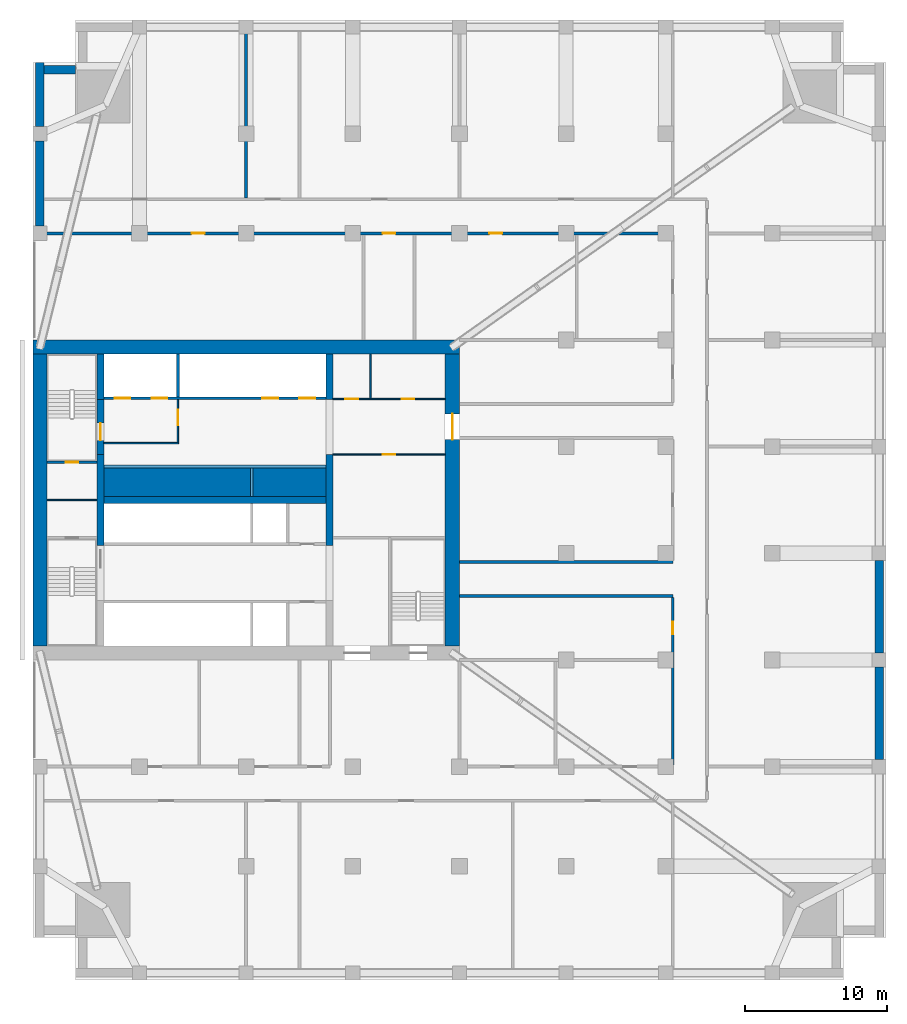
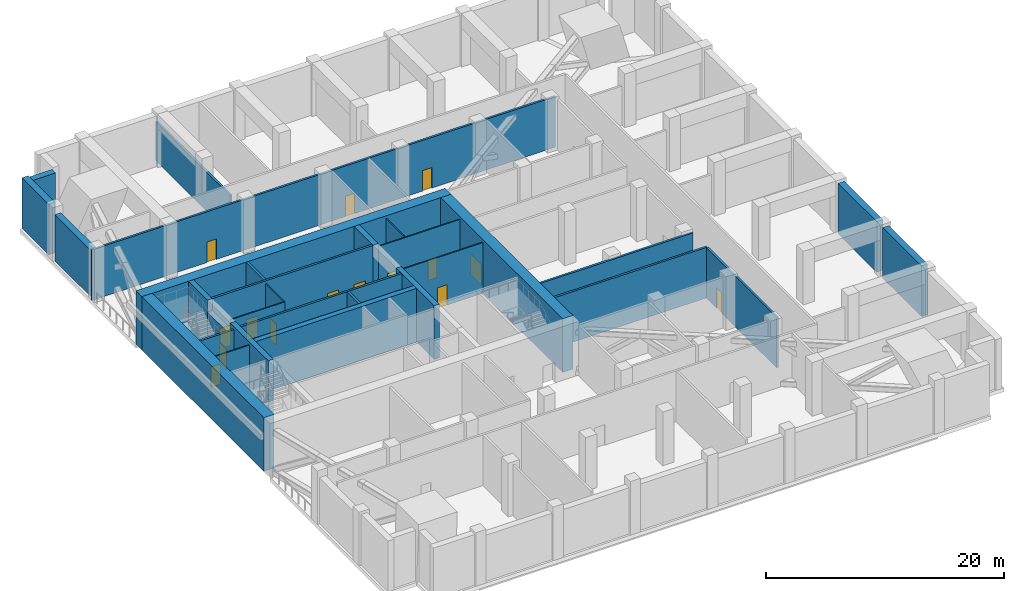
# One storey, part 4 of 10: 31 walls, 15 doors, 15 openings.
"""IFC4 building model written with IfcOpenShell, lengths in metres."""

from ifc_helpers import new_model, si_unit, direction, frame, frame_2d, origin, place, context, subcontext, project, spatial, rectangle, extrude, material, layer, layer_set, type_object, element, fill, save


model = new_model("IFC4")

# Units and contexts
model_context = context("Model", 3, precision=1e-05, world=origin(), true_north=direction((0.0, 1.0)))
body_context = subcontext(model_context, "Body", "Model", "MODEL_VIEW")
ifc_project = project(units=[si_unit("LENGTHUNIT", "METRE"), si_unit("AREAUNIT", "SQUARE_METRE"), si_unit("VOLUMEUNIT", "CUBIC_METRE"), si_unit("PLANEANGLEUNIT", "RADIAN"), si_unit("MASSUNIT", "GRAM", prefix="KILO")], contexts=[model_context])

# Site, building, storey
site_placement = place(None, origin())
site = spatial("IfcSite", under=ifc_project, at=site_placement, CompositionType="ELEMENT")
building_placement = place(site_placement, origin())
building = spatial("IfcBuilding", under=site, at=building_placement, Name="Tamorin Gate", CompositionType="ELEMENT")
storey_placement = place(building_placement, frame((0.0, 0.0, 118.699951171875)))
storey = spatial("IfcBuildingStorey", under=building, at=storey_placement, Name="L29", CompositionType="ELEMENT", Elevation=118.699951171875)

# Wall
ifc_material_1 = material(Name="Concrete C32/40", Category="concrete")
ifc_layer_1 = layer(ifc_material_1, 0.199951171875)
ifc_layer_set_1 = layer_set([ifc_layer_1], Name="Lift lobby face wall 200 EI 120")
wall_type_1 = type_object("IfcWallType", Name="Lift lobby face wall 200 EI 120", PredefinedType="SOLIDWALL", material=ifc_layer_set_1)
wall_1_placement = place(storey_placement, frame((35.0, 73.60009765625, 3.900146484375), z_axis=(0.0, 0.0, 1.0), x_axis=(1.0, 0.0, 0.0)))
element("IfcWall", 1, at=wall_1_placement, inside=storey, type_object=wall_type_1, Name="Lift lobby face wall", PredefinedType="SOLIDWALL", context=body_context, shape_type="SweptSolid", body=[
    extrude(rectangle(XDim=15.60009765625, YDim=0.199951171875, at=frame_2d((7.800048828125, 0.0))), origin(), (0.0, 0.0, 1.0), 1.599853515625),
])

# Wall, openings, doors
wall_2_placement = place(storey_placement, frame((35.0, 78.39990234375, 0.0), z_axis=(0.0, 0.0, 1.0), x_axis=(1.0, 0.0, 0.0)))
wall_2 = element("IfcWall", 2, at=wall_2_placement, inside=storey, type_object=wall_type_1, Name="Lift lobby face wall", PredefinedType="SOLIDWALL", context=body_context, shape_type="SweptSolid", body=[
    extrude(rectangle(XDim=15.60009765625, YDim=0.199951171875, at=frame_2d((7.800048828125, 0.0))), origin(), (0.0, 0.0, 1.0), 5.5),
])
opening_1_placement = place(wall_2_placement, frame((0.75, 0.0, 0.0)))
opening_1 = element("IfcOpeningElement", 3, at=opening_1_placement, cuts=wall_2, Name="Opening LD17", PredefinedType="OPENING", context=body_context, shape_type="SweptSolid", body=[
    extrude(rectangle(XDim=1.10009765625, YDim=2.10009765625, at=frame_2d((0.550048828125, 1.050048828125))), frame((0.0, 0.10986328125, 0.0), z_axis=(0.0, -1.0, 0.0), x_axis=(1.0, 0.0, 0.0)), (0.0, 0.0, 1.0), 0.219970703125),
])
opening_2_placement = place(wall_2_placement, frame((3.35009765625, 0.0, 0.0)))
opening_2 = element("IfcOpeningElement", 4, at=opening_2_placement, cuts=wall_2, Name="Opening LD18", PredefinedType="OPENING", context=body_context, shape_type="SweptSolid", body=[
    extrude(rectangle(XDim=1.10009765625, YDim=2.10009765625, at=frame_2d((0.550048828125, 1.050048828125))), frame((0.0, 0.10986328125, 0.0), z_axis=(0.0, -1.0, 0.0), x_axis=(1.0, 0.0, 0.0)), (0.0, 0.0, 1.0), 0.219970703125),
])
opening_3_placement = place(wall_2_placement, frame((11.14990234375, 0.0, 0.0)))
opening_3 = element("IfcOpeningElement", 5, at=opening_3_placement, cuts=wall_2, Name="Opening LD21", PredefinedType="OPENING", context=body_context, shape_type="SweptSolid", body=[
    extrude(rectangle(XDim=1.10009765625, YDim=2.10009765625, at=frame_2d((0.550048828125, 1.050048828125))), frame((0.0, 0.10986328125, 0.0), z_axis=(0.0, -1.0, 0.0), x_axis=(1.0, 0.0, 0.0)), (0.0, 0.0, 1.0), 0.219970703125),
])
opening_4_placement = place(wall_2_placement, frame((13.75, 0.0, 0.0)))
opening_4 = element("IfcOpeningElement", 6, at=opening_4_placement, cuts=wall_2, Name="Opening LD22", PredefinedType="OPENING", context=body_context, shape_type="SweptSolid", body=[
    extrude(rectangle(XDim=1.10009765625, YDim=2.10009765625, at=frame_2d((0.550048828125, 1.050048828125))), frame((0.0, 0.10986328125, 0.0), z_axis=(0.0, -1.0, 0.0), x_axis=(1.0, 0.0, 0.0)), (0.0, 0.0, 1.0), 0.219970703125),
])
ifc_material_2 = material(Name="Stainless steel sliding door", Category="steel")
door_type_1 = type_object("IfcDoorType", Name="Lift landing door 1100 x 2100 E 90", OperationType="DOUBLE_DOOR_SLIDING", PredefinedType="DOOR", material=ifc_material_2)
door_1_placement = place(opening_1_placement, origin())
door_1 = element("IfcDoor", 7, at=door_1_placement, inside=storey, type_object=door_type_1, Name="FF1 landing door", OperationType="DOUBLE_DOOR_SLIDING", OverallHeight=2.10009765625, OverallWidth=1.10009765625, PredefinedType="DOOR", context=body_context, shape_type="SweptSolid", body=[
    extrude(rectangle(XDim=1.10009765625, YDim=2.10009765625, at=frame_2d((0.550048828125, 1.050048828125))), frame((0.0, 0.02490234375, 0.0), z_axis=(0.0, -1.0, 0.0), x_axis=(1.0, 0.0, 0.0)), (0.0, 0.0, 1.0), 0.050048828125),
])
fill(opening_1, door_1)
door_2_placement = place(opening_2_placement, origin())
door_2 = element("IfcDoor", 8, at=door_2_placement, inside=storey, type_object=door_type_1, Name="FF2 landing door", OperationType="DOUBLE_DOOR_SLIDING", OverallHeight=2.10009765625, OverallWidth=1.10009765625, PredefinedType="DOOR", context=body_context, shape_type="SweptSolid", body=[
    extrude(rectangle(XDim=1.10009765625, YDim=2.10009765625, at=frame_2d((0.550048828125, 1.050048828125))), frame((0.0, 0.02490234375, 0.0), z_axis=(0.0, -1.0, 0.0), x_axis=(1.0, 0.0, 0.0)), (0.0, 0.0, 1.0), 0.050048828125),
])
fill(opening_2, door_2)
door_3_placement = place(opening_3_placement, origin())
door_3 = element("IfcDoor", 9, at=door_3_placement, inside=storey, type_object=door_type_1, Name="SV1 landing door", OperationType="DOUBLE_DOOR_SLIDING", OverallHeight=2.10009765625, OverallWidth=1.10009765625, PredefinedType="DOOR", context=body_context, shape_type="SweptSolid", body=[
    extrude(rectangle(XDim=1.10009765625, YDim=2.10009765625, at=frame_2d((0.550048828125, 1.050048828125))), frame((0.0, 0.02490234375, 0.0), z_axis=(0.0, -1.0, 0.0), x_axis=(1.0, 0.0, 0.0)), (0.0, 0.0, 1.0), 0.050048828125),
])
fill(opening_3, door_3)
door_4_placement = place(opening_4_placement, origin())
door_4 = element("IfcDoor", 10, at=door_4_placement, inside=storey, type_object=door_type_1, Name="SV2 landing door", OperationType="DOUBLE_DOOR_SLIDING", OverallHeight=2.10009765625, OverallWidth=1.10009765625, PredefinedType="DOOR", context=body_context, shape_type="SweptSolid", body=[
    extrude(rectangle(XDim=1.10009765625, YDim=2.10009765625, at=frame_2d((0.550048828125, 1.050048828125))), frame((0.0, 0.02490234375, 0.0), z_axis=(0.0, -1.0, 0.0), x_axis=(1.0, 0.0, 0.0)), (0.0, 0.0, 1.0), 0.050048828125),
])
fill(opening_4, door_4)

# Walls
ifc_material_3 = material(Name="Concrete C40/50", Category="concrete")
ifc_layer_2 = layer(ifc_material_3, 2.199951171875)
ifc_layer_set_2 = layer_set([ifc_layer_2], Name="Lift pit plinth wall 2200 C40/50")
wall_type_2 = type_object("IfcWallType", Name="Lift pit plinth wall 2200 C40/50", PredefinedType="SOLIDWALL", material=ifc_layer_set_2)
wall_3_placement = place(storey_placement, frame((35.0, 72.60009765625, 0.0), z_axis=(0.0, 0.0, 1.0), x_axis=(1.0, 0.0, 0.0)))
element("IfcWall", 11, at=wall_3_placement, inside=storey, type_object=wall_type_2, Name="Lift pit plinth", PredefinedType="SOLIDWALL", context=body_context, shape_type="SweptSolid", body=[
    extrude(rectangle(XDim=15.60009765625, YDim=2.199951171875, at=frame_2d((7.800048828125, 0.0))), origin(), (0.0, 0.0, 1.0), 3.900146484375),
])
ifc_layer_3 = layer(ifc_material_1, 0.199951171875)
ifc_layer_set_3 = layer_set([ifc_layer_3], Name="Lift shaft wall 200 EI 120")
wall_type_3 = type_object("IfcWallType", Name="Lift shaft wall 200 EI 120", PredefinedType="SOLIDWALL", material=ifc_layer_set_3)
wall_4_placement = place(storey_placement, frame((45.39990234375, 71.5, 3.900146484375), z_axis=(0.0, 0.0, 1.0), x_axis=(0.0, 1.0, 0.0)))
element("IfcWall", 12, at=wall_4_placement, inside=storey, type_object=wall_type_3, Name="Lift shaft wall", PredefinedType="SOLIDWALL", context=body_context, shape_type="SweptSolid", body=[
    extrude(rectangle(XDim=2.0, YDim=0.199951171875, at=frame_2d((1.0, 0.0))), origin(), (0.0, 0.0, 1.0), 1.599853515625),
])
wall_5_placement = place(storey_placement, frame((40.199951171875, 78.5, 0.0), z_axis=(0.0, 0.0, 1.0), x_axis=(0.0, 1.0, 0.0)))
element("IfcWall", 13, at=wall_5_placement, inside=storey, type_object=wall_type_3, Name="Lift shaft wall", PredefinedType="SOLIDWALL", context=body_context, shape_type="SweptSolid", body=[
    extrude(rectangle(XDim=3.0, YDim=0.199951171875, at=frame_2d((1.5, 0.0))), origin(), (0.0, 0.0, 1.0), 5.5),
])
ifc_material_4 = material(Name="Fire-rated gypsum board partition")
ifc_layer_4 = layer(ifc_material_4, 0.10009765625)
ifc_layer_set_4 = layer_set([ifc_layer_4], Name="Lobby wall 100 EI 60")
wall_type_4 = type_object("IfcWallType", Name="Lobby wall 100 EI 60", PredefinedType="PARTITIONING", material=ifc_layer_set_4)
wall_6_placement = place(storey_placement, frame((35.0, 75.25, 0.0), z_axis=(0.0, 0.0, 1.0), x_axis=(1.0, 0.0, 0.0)))
element("IfcWall", 14, at=wall_6_placement, inside=storey, type_object=wall_type_4, Name="Firefighting lobby wall", PredefinedType="PARTITIONING", context=body_context, shape_type="SweptSolid", body=[
    extrude(rectangle(XDim=5.25, YDim=0.10009765625, at=frame_2d((2.625, 0.0))), origin(), (0.0, 0.0, 1.0), 5.199951171875),
])

# Wall, opening, door
wall_7_placement = place(storey_placement, frame((40.199951171875, 75.300048828125, 0.0), z_axis=(0.0, 0.0, 1.0), x_axis=(0.0, 1.0, 0.0)))
wall_7 = element("IfcWall", 15, at=wall_7_placement, inside=storey, type_object=wall_type_4, Name="Firefighting lobby wall", PredefinedType="PARTITIONING", context=body_context, shape_type="SweptSolid", body=[
    extrude(rectangle(XDim=3.0, YDim=0.10009765625, at=frame_2d((1.5, 0.0))), origin(), (0.0, 0.0, 1.0), 5.199951171875),
])
opening_5_placement = place(wall_7_placement, frame((1.199951171875, 0.0, 0.0)))
opening_5 = element("IfcOpeningElement", 16, at=opening_5_placement, cuts=wall_7, Name="Opening DF1", PredefinedType="OPENING", context=body_context, shape_type="SweptSolid", body=[
    extrude(rectangle(XDim=1.10009765625, YDim=2.10009765625, at=frame_2d((0.550048828125, 1.050048828125))), frame((0.0, 0.06005859375, 0.0), z_axis=(0.0, -1.0, 0.0), x_axis=(1.0, 0.0, 0.0)), (0.0, 0.0, 1.0), 0.1201171875),
])
ifc_material_5 = material(Name="Steel fire door", Category="steel")
door_type_2 = type_object("IfcDoorType", Name="Firefighting lobby door 1100 x 2100 EI 90", OperationType="SINGLE_SWING_LEFT", PredefinedType="DOOR", material=ifc_material_5)
door_5_placement = place(opening_5_placement, origin())
door_5 = element("IfcDoor", 17, at=door_5_placement, inside=storey, type_object=door_type_2, Name="Firefighting lobby door", OperationType="SINGLE_SWING_LEFT", OverallHeight=2.10009765625, OverallWidth=1.10009765625, PredefinedType="DOOR", context=body_context, shape_type="SweptSolid", body=[
    extrude(rectangle(XDim=1.10009765625, YDim=2.10009765625, at=frame_2d((0.550048828125, 1.050048828125))), frame((0.0, 0.02490234375, 0.0), z_axis=(0.0, -1.0, 0.0), x_axis=(1.0, 0.0, 0.0)), (0.0, 0.0, 1.0), 0.050048828125),
])
fill(opening_5, door_5)

# Walls
ifc_material_6 = material(Name="Aluminium louvres in concrete frame", Category="concrete")
ifc_layer_5 = layer(ifc_material_6, 0.60009765625)
ifc_layer_set_5 = layer_set([ifc_layer_5], Name="Louvred plant wall 600")
wall_type_5 = type_object("IfcWallType", Name="Louvred plant wall 600", PredefinedType="ELEMENTEDWALL", material=ifc_layer_set_5)
for number, where, z_axis, x_axis, name in (
    (18, (89.5, 53.0, 0.0), (0.0, 0.0, 1.0), (0.0, 1.0, 0.0), "Louvred plant wall"),
    (19, (89.5, 60.5, 0.0), (0.0, 0.0, 1.0), (0.0, 1.0, 0.0), "Louvred plant wall"),
):
    element("IfcWall", number, at=place(storey_placement, frame(where, z_axis=z_axis, x_axis=x_axis)), inside=storey, type_object=wall_type_5, Name=name, PredefinedType="ELEMENTEDWALL", context=body_context, shape_type="SweptSolid", body=[
        extrude(rectangle(XDim=6.5, YDim=0.60009765625, at=frame_2d((3.25, 0.0))), origin(), (0.0, 0.0, 1.0), 5.199951171875),
    ])
wall_8_placement = place(storey_placement, frame((33.0, 101.5, 0.0), z_axis=(0.0, 0.0, 1.0), x_axis=(-1.0, 0.0, 0.0)))
element("IfcWall", 20, at=wall_8_placement, inside=storey, type_object=wall_type_5, Name="Louvred plant wall", PredefinedType="ELEMENTEDWALL", context=body_context, shape_type="SweptSolid", body=[
    extrude(rectangle(XDim=2.199951171875, YDim=0.60009765625, at=frame_2d((1.10009765625, 0.0))), origin(), (0.0, 0.0, 1.0), 5.199951171875),
])
wall_9_placement = place(storey_placement, frame((30.5, 102.0, 0.0), z_axis=(0.0, 0.0, 1.0), x_axis=(0.0, -1.0, 0.0)))
element("IfcWall", 21, at=wall_9_placement, inside=storey, type_object=wall_type_5, Name="Louvred plant wall", PredefinedType="ELEMENTEDWALL", context=body_context, shape_type="SweptSolid", body=[
    extrude(rectangle(XDim=4.5, YDim=0.60009765625, at=frame_2d((2.25, 0.0))), origin(), (0.0, 0.0, 1.0), 5.199951171875),
])
wall_10_placement = place(storey_placement, frame((30.5, 96.5, 0.0), z_axis=(0.0, 0.0, 1.0), x_axis=(0.0, -1.0, 0.0)))
element("IfcWall", 22, at=wall_10_placement, inside=storey, type_object=wall_type_5, Name="Louvred plant wall", PredefinedType="ELEMENTEDWALL", context=body_context, shape_type="SweptSolid", body=[
    extrude(rectangle(XDim=6.0, YDim=0.60009765625, at=frame_2d((3.0, 0.0))), origin(), (0.0, 0.0, 1.0), 4.75),
])
ifc_material_7 = material(Name="Gypsum board partition")
ifc_layer_6 = layer(ifc_material_7, 0.199951171875)
ifc_layer_set_6 = layer_set([ifc_layer_6], Name="Plant and refuge wall 200")
wall_type_6 = type_object("IfcWallType", Name="Plant and refuge wall 200", PredefinedType="PARTITIONING", material=ifc_layer_set_6)
for number, where, z_axis, x_axis, name in (
    (23, (60.0, 64.5, 0.0), (0.0, 0.0, 1.0), (1.0, 0.0, 0.0), "Plant and refuge wall 200"),
    (24, (60.0, 66.89990234375, 0.0), (0.0, 0.0, 1.0), (1.0, 0.0, 0.0), "Plant and refuge wall 200"),
):
    element("IfcWall", number, at=place(storey_placement, frame(where, z_axis=z_axis, x_axis=x_axis)), inside=storey, type_object=wall_type_6, Name=name, PredefinedType="PARTITIONING", context=body_context, shape_type="SweptSolid", body=[
        extrude(rectangle(XDim=15.0, YDim=0.199951171875, at=frame_2d((7.5, 0.0))), origin(), (0.0, 0.0, 1.0), 5.199951171875),
    ])

# Wall, openings, doors
wall_11_placement = place(storey_placement, frame((30.0, 90.0, 0.0), z_axis=(0.0, 0.0, 1.0), x_axis=(1.0, 0.0, 0.0)))
wall_11 = element("IfcWall", 25, at=wall_11_placement, inside=storey, type_object=wall_type_6, Name="Plant and refuge wall 200", PredefinedType="PARTITIONING", context=body_context, shape_type="SweptSolid", body=[
    extrude(rectangle(XDim=45.0, YDim=0.199951171875, at=frame_2d((22.5, 0.0))), origin(), (0.0, 0.0, 1.0), 5.199951171875),
])
opening_6_placement = place(wall_11_placement, frame((11.175048828125, 0.0, 0.0)))
opening_6 = element("IfcOpeningElement", 26, at=opening_6_placement, cuts=wall_11, Name="Opening DPL2019", PredefinedType="OPENING", context=body_context, shape_type="SweptSolid", body=[
    extrude(rectangle(XDim=0.89990234375, YDim=2.10009765625, at=frame_2d((0.449951171875, 1.050048828125))), frame((0.0, 0.10986328125, 0.0), z_axis=(0.0, -1.0, 0.0), x_axis=(1.0, 0.0, 0.0)), (0.0, 0.0, 1.0), 0.219970703125),
])
opening_7_placement = place(wall_11_placement, frame((24.60009765625, 0.0, 0.0)))
opening_7 = element("IfcOpeningElement", 27, at=opening_7_placement, cuts=wall_11, Name="Opening DPL2020", PredefinedType="OPENING", context=body_context, shape_type="SweptSolid", body=[
    extrude(rectangle(XDim=0.89990234375, YDim=2.10009765625, at=frame_2d((0.449951171875, 1.050048828125))), frame((0.0, 0.10986328125, 0.0), z_axis=(0.0, -1.0, 0.0), x_axis=(1.0, 0.0, 0.0)), (0.0, 0.0, 1.0), 0.219970703125),
])
opening_8_placement = place(wall_11_placement, frame((32.10009765625, 0.0, 0.0)))
opening_8 = element("IfcOpeningElement", 28, at=opening_8_placement, cuts=wall_11, Name="Opening DPL2021", PredefinedType="OPENING", context=body_context, shape_type="SweptSolid", body=[
    extrude(rectangle(XDim=0.89990234375, YDim=2.10009765625, at=frame_2d((0.449951171875, 1.050048828125))), frame((0.0, 0.10986328125, 0.0), z_axis=(0.0, -1.0, 0.0), x_axis=(1.0, 0.0, 0.0)), (0.0, 0.0, 1.0), 0.219970703125),
])
ifc_material_8 = material(Name="Timber door leaf", Category="wood")
door_type_3 = type_object("IfcDoorType", Name="Door 900 x 2100 FD30S", OperationType="NOTDEFINED", PredefinedType="DOOR", material=ifc_material_8)
door_6_placement = place(opening_7_placement, origin())
door_6 = element("IfcDoor", 29, at=door_6_placement, inside=storey, type_object=door_type_3, Name="Door DPL2020", OperationType="SINGLE_SWING_RIGHT", OverallHeight=2.10009765625, OverallWidth=0.89990234375, PredefinedType="DOOR", context=body_context, shape_type="SweptSolid", body=[
    extrude(rectangle(XDim=0.89990234375, YDim=2.10009765625, at=frame_2d((0.449951171875, 1.050048828125))), frame((0.0, 0.02490234375, 0.0), z_axis=(0.0, -1.0, 0.0), x_axis=(1.0, 0.0, 0.0)), (0.0, 0.0, 1.0), 0.050048828125),
])
fill(opening_7, door_6)
door_type_4 = type_object("IfcDoorType", Name="Door 900 x 2100 FD60", OperationType="NOTDEFINED", PredefinedType="DOOR", material=ifc_material_8)
door_7_placement = place(opening_6_placement, origin())
door_7 = element("IfcDoor", 30, at=door_7_placement, inside=storey, type_object=door_type_4, Name="Door DPL2019", OperationType="SINGLE_SWING_RIGHT", OverallHeight=2.10009765625, OverallWidth=0.89990234375, PredefinedType="DOOR", context=body_context, shape_type="SweptSolid", body=[
    extrude(rectangle(XDim=0.89990234375, YDim=2.10009765625, at=frame_2d((0.449951171875, 1.050048828125))), frame((0.0, 0.02490234375, 0.0), z_axis=(0.0, -1.0, 0.0), x_axis=(1.0, 0.0, 0.0)), (0.0, 0.0, 1.0), 0.050048828125),
])
fill(opening_6, door_7)
door_8_placement = place(opening_8_placement, origin())
door_8 = element("IfcDoor", 31, at=door_8_placement, inside=storey, type_object=door_type_4, Name="Door DPL2021", OperationType="SINGLE_SWING_RIGHT", OverallHeight=2.10009765625, OverallWidth=0.89990234375, PredefinedType="DOOR", context=body_context, shape_type="SweptSolid", body=[
    extrude(rectangle(XDim=0.89990234375, YDim=2.10009765625, at=frame_2d((0.449951171875, 1.050048828125))), frame((0.0, 0.02490234375, 0.0), z_axis=(0.0, -1.0, 0.0), x_axis=(1.0, 0.0, 0.0)), (0.0, 0.0, 1.0), 0.050048828125),
])
fill(opening_8, door_8)

# Wall
wall_12_placement = place(storey_placement, frame((45.0, 92.5, 0.0), z_axis=(0.0, 0.0, 1.0), x_axis=(0.0, 1.0, 0.0)))
element("IfcWall", 32, at=wall_12_placement, inside=storey, type_object=wall_type_6, Name="Plant and refuge wall 200", PredefinedType="PARTITIONING", context=body_context, shape_type="SweptSolid", body=[
    extrude(rectangle(XDim=12.5, YDim=0.199951171875, at=frame_2d((6.25, 0.0))), origin(), (0.0, 0.0, 1.0), 4.0),
])

# Wall, opening, door
wall_13_placement = place(storey_placement, frame((75.0, 52.60009765625, 0.0), z_axis=(0.0, 0.0, 1.0), x_axis=(0.0, 1.0, 0.0)))
wall_13 = element("IfcWall", 33, at=wall_13_placement, inside=storey, type_object=wall_type_6, Name="Plant and refuge wall 200", PredefinedType="PARTITIONING", context=body_context, shape_type="SweptSolid", body=[
    extrude(rectangle(XDim=11.7998046875, YDim=0.199951171875, at=frame_2d((5.89990234375, 0.0))), origin(), (0.0, 0.0, 1.0), 5.199951171875),
])
opening_9_placement = place(wall_13_placement, frame((9.199951171875, 0.0, 0.0)))
opening_9 = element("IfcOpeningElement", 34, at=opening_9_placement, cuts=wall_13, Name="Opening DPL2023", PredefinedType="OPENING", context=body_context, shape_type="SweptSolid", body=[
    extrude(rectangle(XDim=0.89990234375, YDim=2.10009765625, at=frame_2d((0.449951171875, 1.050048828125))), frame((0.0, 0.10986328125, 0.0), z_axis=(0.0, -1.0, 0.0), x_axis=(1.0, 0.0, 0.0)), (0.0, 0.0, 1.0), 0.219970703125),
])
door_9_placement = place(opening_9_placement, origin())
door_9 = element("IfcDoor", 35, at=door_9_placement, inside=storey, type_object=door_type_4, Name="Door DPL2023", OperationType="SINGLE_SWING_LEFT", OverallHeight=2.10009765625, OverallWidth=0.89990234375, PredefinedType="DOOR", context=body_context, shape_type="SweptSolid", body=[
    extrude(rectangle(XDim=0.89990234375, YDim=2.10009765625, at=frame_2d((0.449951171875, 1.050048828125))), frame((0.0, 0.02490234375, 0.0), z_axis=(0.0, -1.0, 0.0), x_axis=(1.0, 0.0, 0.0)), (0.0, 0.0, 1.0), 0.050048828125),
])
fill(opening_9, door_9)

# Walls
ifc_material_9 = material(Name="Concrete C80/95", Category="concrete")
ifc_layer_7 = layer(ifc_material_9, 0.5)
ifc_layer_set_7 = layer_set([ifc_layer_7], Name="RC core internal wall 500 C80/95")
wall_type_7 = type_object("IfcWallType", Name="RC core internal wall 500 C80/95", PredefinedType="SHEAR", material=ifc_layer_set_7)
wall_14_placement = place(storey_placement, frame((35.0, 71.25, 0.0), z_axis=(0.0, 0.0, 1.0), x_axis=(1.0, 0.0, 0.0)))
element("IfcWall", 36, at=wall_14_placement, inside=storey, type_object=wall_type_7, Name="Core spine wall L29", PredefinedType="SHEAR", context=body_context, shape_type="SweptSolid", body=[
    extrude(rectangle(XDim=15.60009765625, YDim=0.5, at=frame_2d((7.800048828125, 0.0))), origin(), (0.0, 0.0, 1.0), 5.5),
])
wall_15_placement = place(storey_placement, frame((34.75, 68.050048828125, 0.0), z_axis=(0.0, 0.0, 1.0), x_axis=(0.0, 1.0, 0.0)))
element("IfcWall", 37, at=wall_15_placement, inside=storey, type_object=wall_type_7, Name="Core cross wall L29", PredefinedType="SHEAR", context=body_context, shape_type="SweptSolid", body=[
    extrude(rectangle(XDim=6.39990234375, YDim=0.5, at=frame_2d((3.199951171875, 0.0))), origin(), (0.0, 0.0, 1.0), 5.5),
])
wall_16_placement = place(storey_placement, frame((34.75, 78.300048828125, 0.0), z_axis=(0.0, 0.0, 1.0), x_axis=(0.0, 1.0, 0.0)))
element("IfcWall", 38, at=wall_16_placement, inside=storey, type_object=wall_type_7, Name="Core cross wall L29", PredefinedType="SHEAR", context=body_context, shape_type="SweptSolid", body=[
    extrude(rectangle(XDim=3.199951171875, YDim=0.5, at=frame_2d((1.60009765625, 0.0))), origin(), (0.0, 0.0, 1.0), 5.5),
])
wall_17_placement = place(storey_placement, frame((50.85009765625, 68.050048828125, 0.0), z_axis=(0.0, 0.0, 1.0), x_axis=(0.0, 1.0, 0.0)))
element("IfcWall", 39, at=wall_17_placement, inside=storey, type_object=wall_type_7, Name="Core cross wall L29", PredefinedType="SHEAR", context=body_context, shape_type="SweptSolid", body=[
    extrude(rectangle(XDim=6.39990234375, YDim=0.5, at=frame_2d((3.199951171875, 0.0))), origin(), (0.0, 0.0, 1.0), 5.5),
])
wall_18_placement = place(storey_placement, frame((50.85009765625, 78.300048828125, 0.0), z_axis=(0.0, 0.0, 1.0), x_axis=(0.0, 1.0, 0.0)))
element("IfcWall", 40, at=wall_18_placement, inside=storey, type_object=wall_type_7, Name="Core cross wall L29", PredefinedType="SHEAR", context=body_context, shape_type="SweptSolid", body=[
    extrude(rectangle(XDim=3.199951171875, YDim=0.5, at=frame_2d((1.60009765625, 0.0))), origin(), (0.0, 0.0, 1.0), 5.5),
])
ifc_layer_8 = layer(ifc_material_9, 1.0)
ifc_layer_set_8 = layer_set([ifc_layer_8], Name="RC core wall 1000 C80/95")
wall_type_8 = type_object("IfcWallType", Name="RC core wall 1000 C80/95", PredefinedType="SHEAR", material=ifc_layer_set_8)
wall_19_placement = place(storey_placement, frame((30.0, 82.0, 0.0), z_axis=(0.0, 0.0, 1.0), x_axis=(1.0, 0.0, 0.0)))
element("IfcWall", 41, at=wall_19_placement, inside=storey, type_object=wall_type_8, Name="Core wall L29", PredefinedType="SHEAR", context=body_context, shape_type="SweptSolid", body=[
    extrude(rectangle(XDim=30.0, YDim=1.0, at=frame_2d((15.0, 0.0))), origin(), (0.0, 0.0, 1.0), 5.5),
])
wall_20_placement = place(storey_placement, frame((30.5, 61.0, 0.0), z_axis=(0.0, 0.0, 1.0), x_axis=(0.0, 1.0, 0.0)))
element("IfcWall", 42, at=wall_20_placement, inside=storey, type_object=wall_type_8, Name="Core wall L29", PredefinedType="SHEAR", context=body_context, shape_type="SweptSolid", body=[
    extrude(rectangle(XDim=20.5, YDim=1.0, at=frame_2d((10.25, 0.0))), origin(), (0.0, 0.0, 1.0), 5.5),
])

# Wall, opening, door
wall_21_placement = place(storey_placement, frame((59.5, 61.0, 0.0), z_axis=(0.0, 0.0, 1.0), x_axis=(0.0, 1.0, 0.0)))
wall_21 = element("IfcWall", 43, at=wall_21_placement, inside=storey, type_object=wall_type_8, Name="Core wall L29", PredefinedType="SHEAR", context=body_context, shape_type="SweptSolid", body=[
    extrude(rectangle(XDim=20.5, YDim=1.0, at=frame_2d((10.25, 0.0))), origin(), (0.0, 0.0, 1.0), 5.5),
])
opening_10_placement = place(wall_21_placement, frame((14.5, 0.0, 0.0)))
opening_10 = element("IfcOpeningElement", 44, at=opening_10_placement, cuts=wall_21, Name="Opening DE1", PredefinedType="OPENING", context=body_context, shape_type="SweptSolid", body=[
    extrude(rectangle(XDim=1.800048828125, YDim=2.10009765625, at=frame_2d((0.89990234375, 1.050048828125))), frame((0.0, 0.510009765625, 0.0), z_axis=(0.0, -1.0, 0.0), x_axis=(1.0, 0.0, 0.0)), (0.0, 0.0, 1.0), 1.02001953125),
])
door_type_5 = type_object("IfcDoorType", Name="Lobby exit double door 1800 x 2100 EI 60", OperationType="DOUBLE_DOOR_SINGLE_SWING", PredefinedType="DOOR", material=ifc_material_5)
door_10_placement = place(opening_10_placement, origin())
door_10 = element("IfcDoor", 45, at=door_10_placement, inside=storey, type_object=door_type_5, Name="Lift lobby B exit door", OperationType="DOUBLE_DOOR_SINGLE_SWING", OverallHeight=2.10009765625, OverallWidth=1.800048828125, PredefinedType="DOOR", context=body_context, shape_type="SweptSolid", body=[
    extrude(rectangle(XDim=1.800048828125, YDim=2.10009765625, at=frame_2d((0.89990234375, 1.050048828125))), frame((0.0, 0.02490234375, 0.0), z_axis=(0.0, -1.0, 0.0), x_axis=(1.0, 0.0, 0.0)), (0.0, 0.0, 1.0), 0.050048828125),
])
fill(opening_10, door_10)

# Wall
ifc_layer_9 = layer(ifc_material_4, 0.10009765625)
ifc_layer_set_9 = layer_set([ifc_layer_9], Name="Riser partition 100 EI 120")
wall_type_9 = type_object("IfcWallType", Name="Riser partition 100 EI 120", PredefinedType="PARTITIONING", material=ifc_layer_set_9)
wall_22_placement = place(storey_placement, frame((31.0, 71.25, 0.0), z_axis=(0.0, 0.0, 1.0), x_axis=(1.0, 0.0, 0.0)))
element("IfcWall", 46, at=wall_22_placement, inside=storey, type_object=wall_type_9, Name="Riser partition", PredefinedType="PARTITIONING", context=body_context, shape_type="SweptSolid", body=[
    extrude(rectangle(XDim=3.5, YDim=0.10009765625, at=frame_2d((1.75, 0.0))), origin(), (0.0, 0.0, 1.0), 5.199951171875),
])

# Wall, opening, door
ifc_layer_10 = layer(ifc_material_7, 0.10009765625)
ifc_layer_set_10 = layer_set([ifc_layer_10], Name="Service room partition 100 EI 60")
wall_type_10 = type_object("IfcWallType", Name="Service room partition 100 EI 60", PredefinedType="PARTITIONING", material=ifc_layer_set_10)
wall_23_placement = place(storey_placement, frame((51.10009765625, 74.449951171875, 0.0), z_axis=(0.0, 0.0, 1.0), x_axis=(1.0, 0.0, 0.0)))
wall_23 = element("IfcWall", 47, at=wall_23_placement, inside=storey, type_object=wall_type_10, Name="Service room wall", PredefinedType="PARTITIONING", context=body_context, shape_type="SweptSolid", body=[
    extrude(rectangle(XDim=7.89990234375, YDim=0.10009765625, at=frame_2d((3.949951171875, 0.0))), origin(), (0.0, 0.0, 1.0), 5.199951171875),
])
opening_11_placement = place(wall_23_placement, frame((3.5, 0.0, 0.0)))
opening_11 = element("IfcOpeningElement", 48, at=opening_11_placement, cuts=wall_23, Name="Opening DR1", PredefinedType="OPENING", context=body_context, shape_type="SweptSolid", body=[
    extrude(rectangle(XDim=0.89990234375, YDim=2.10009765625, at=frame_2d((0.449951171875, 1.050048828125))), frame((0.0, 0.06005859375, 0.0), z_axis=(0.0, -1.0, 0.0), x_axis=(1.0, 0.0, 0.0)), (0.0, 0.0, 1.0), 0.1201171875),
])
door_type_6 = type_object("IfcDoorType", Name="Riser access door 900 x 2100 EI 120", OperationType="SINGLE_SWING_LEFT", PredefinedType="DOOR", material=ifc_material_5)
door_11_placement = place(opening_11_placement, origin())
door_11 = element("IfcDoor", 49, at=door_11_placement, inside=storey, type_object=door_type_6, Name="Duct riser door", OperationType="SINGLE_SWING_LEFT", OverallHeight=2.10009765625, OverallWidth=0.89990234375, PredefinedType="DOOR", context=body_context, shape_type="SweptSolid", body=[
    extrude(rectangle(XDim=0.89990234375, YDim=2.10009765625, at=frame_2d((0.449951171875, 1.050048828125))), frame((0.0, 0.02490234375, 0.0), z_axis=(0.0, -1.0, 0.0), x_axis=(1.0, 0.0, 0.0)), (0.0, 0.0, 1.0), 0.050048828125),
])
fill(opening_11, door_11)

# Wall, openings, doors
wall_24_placement = place(storey_placement, frame((51.10009765625, 78.35009765625, 0.0), z_axis=(0.0, 0.0, 1.0), x_axis=(1.0, 0.0, 0.0)))
wall_24 = element("IfcWall", 50, at=wall_24_placement, inside=storey, type_object=wall_type_10, Name="Service room wall", PredefinedType="PARTITIONING", context=body_context, shape_type="SweptSolid", body=[
    extrude(rectangle(XDim=7.89990234375, YDim=0.10009765625, at=frame_2d((3.949951171875, 0.0))), origin(), (0.0, 0.0, 1.0), 5.199951171875),
])
opening_12_placement = place(wall_24_placement, frame((0.875, 0.0, 0.0)))
opening_12 = element("IfcOpeningElement", 51, at=opening_12_placement, cuts=wall_24, Name="Opening DK1", PredefinedType="OPENING", context=body_context, shape_type="SweptSolid", body=[
    extrude(rectangle(XDim=0.89990234375, YDim=2.10009765625, at=frame_2d((0.449951171875, 1.050048828125))), frame((0.0, 0.06005859375, 0.0), z_axis=(0.0, -1.0, 0.0), x_axis=(1.0, 0.0, 0.0)), (0.0, 0.0, 1.0), 0.1201171875),
])
opening_13_placement = place(wall_24_placement, frame((4.824951171875, 0.0, 0.0)))
opening_13 = element("IfcOpeningElement", 52, at=opening_13_placement, cuts=wall_24, Name="Opening DK1", PredefinedType="OPENING", context=body_context, shape_type="SweptSolid", body=[
    extrude(rectangle(XDim=0.89990234375, YDim=2.10009765625, at=frame_2d((0.449951171875, 1.050048828125))), frame((0.0, 0.06005859375, 0.0), z_axis=(0.0, -1.0, 0.0), x_axis=(1.0, 0.0, 0.0)), (0.0, 0.0, 1.0), 0.1201171875),
])
ifc_material_10 = material(Name="Timber fire door", Category="wood")
door_type_7 = type_object("IfcDoorType", Name="Service room door 900 x 2100 EI 60", OperationType="SINGLE_SWING_LEFT", PredefinedType="DOOR", material=ifc_material_10)
door_12_placement = place(opening_12_placement, origin())
door_12 = element("IfcDoor", 53, at=door_12_placement, inside=storey, type_object=door_type_7, Name="Door Pump room", OperationType="SINGLE_SWING_LEFT", OverallHeight=2.10009765625, OverallWidth=0.89990234375, PredefinedType="DOOR", context=body_context, shape_type="SweptSolid", body=[
    extrude(rectangle(XDim=0.89990234375, YDim=2.10009765625, at=frame_2d((0.449951171875, 1.050048828125))), frame((0.0, 0.02490234375, 0.0), z_axis=(0.0, -1.0, 0.0), x_axis=(1.0, 0.0, 0.0)), (0.0, 0.0, 1.0), 0.050048828125),
])
fill(opening_12, door_12)
door_13_placement = place(opening_13_placement, origin())
door_13 = element("IfcDoor", 54, at=door_13_placement, inside=storey, type_object=door_type_7, Name="Door Plant store", OperationType="SINGLE_SWING_RIGHT", OverallHeight=2.10009765625, OverallWidth=0.89990234375, PredefinedType="DOOR", context=body_context, shape_type="SweptSolid", body=[
    extrude(rectangle(XDim=0.89990234375, YDim=2.10009765625, at=frame_2d((0.449951171875, 1.050048828125))), frame((0.0, 0.02490234375, 0.0), z_axis=(0.0, -1.0, 0.0), x_axis=(1.0, 0.0, 0.0)), (0.0, 0.0, 1.0), 0.050048828125),
])
fill(opening_13, door_13)

# Wall
wall_25_placement = place(storey_placement, frame((53.75, 78.39990234375, 0.0), z_axis=(0.0, 0.0, 1.0), x_axis=(0.0, 1.0, 0.0)))
element("IfcWall", 55, at=wall_25_placement, inside=storey, type_object=wall_type_10, Name="Service room partition", PredefinedType="PARTITIONING", context=body_context, shape_type="SweptSolid", body=[
    extrude(rectangle(XDim=3.10009765625, YDim=0.10009765625, at=frame_2d((1.550048828125, 0.0))), origin(), (0.0, 0.0, 1.0), 5.199951171875),
])

# Wall, opening, door
ifc_layer_11 = layer(ifc_material_3, 0.199951171875)
ifc_layer_set_11 = layer_set([ifc_layer_11], Name="Stair enclosure wall 200 EI 120 C40/50")
wall_type_11 = type_object("IfcWallType", Name="Stair enclosure wall 200 EI 120 C40/50", PredefinedType="SOLIDWALL", material=ifc_layer_set_11)
wall_26_placement = place(storey_placement, frame((31.0, 73.89990234375, 0.0), z_axis=(0.0, 0.0, 1.0), x_axis=(1.0, 0.0, 0.0)))
wall_26 = element("IfcWall", 56, at=wall_26_placement, inside=storey, type_object=wall_type_11, Name="Stair enclosure wall", PredefinedType="SOLIDWALL", context=body_context, shape_type="SweptSolid", body=[
    extrude(rectangle(XDim=3.5, YDim=0.199951171875, at=frame_2d((1.75, 0.0))), origin(), (0.0, 0.0, 1.0), 5.199951171875),
])
opening_14_placement = place(wall_26_placement, frame((1.300048828125, 0.0, 0.0)))
opening_14 = element("IfcOpeningElement", 57, at=opening_14_placement, cuts=wall_26, Name="Opening DR1", PredefinedType="OPENING", context=body_context, shape_type="SweptSolid", body=[
    extrude(rectangle(XDim=0.89990234375, YDim=2.10009765625, at=frame_2d((0.449951171875, 1.050048828125))), frame((0.0, 0.10986328125, 0.0), z_axis=(0.0, -1.0, 0.0), x_axis=(1.0, 0.0, 0.0)), (0.0, 0.0, 1.0), 0.219970703125),
])
door_14_placement = place(opening_14_placement, origin())
door_14 = element("IfcDoor", 58, at=door_14_placement, inside=storey, type_object=door_type_6, Name="Communications riser door", OperationType="SINGLE_SWING_RIGHT", OverallHeight=2.10009765625, OverallWidth=0.89990234375, PredefinedType="DOOR", context=body_context, shape_type="SweptSolid", body=[
    extrude(rectangle(XDim=0.89990234375, YDim=2.10009765625, at=frame_2d((0.449951171875, 1.050048828125))), frame((0.0, 0.02490234375, 0.0), z_axis=(0.0, -1.0, 0.0), x_axis=(1.0, 0.0, 0.0)), (0.0, 0.0, 1.0), 0.050048828125),
])
fill(opening_14, door_14)

ifc_layer_12 = layer(ifc_material_1, 0.5)
ifc_layer_set_12 = layer_set([ifc_layer_12], Name="Stair lobby infill wall 500 EI 120")
wall_type_12 = type_object("IfcWallType", Name="Stair lobby infill wall 500 EI 120", PredefinedType="SOLIDWALL", material=ifc_layer_set_12)
wall_27_placement = place(storey_placement, frame((34.75, 74.449951171875, 0.0), z_axis=(0.0, 0.0, 1.0), x_axis=(0.0, 1.0, 0.0)))
wall_27 = element("IfcWall", 59, at=wall_27_placement, inside=storey, type_object=wall_type_12, Name="Stair lobby infill wall", PredefinedType="SOLIDWALL", context=body_context, shape_type="SweptSolid", body=[
    extrude(rectangle(XDim=3.85009765625, YDim=0.5, at=frame_2d((1.925048828125, 0.0))), origin(), (0.0, 0.0, 1.0), 4.300048828125),
])
opening_15_placement = place(wall_27_placement, frame((1.0, 0.0, 0.0)))
opening_15 = element("IfcOpeningElement", 60, at=opening_15_placement, cuts=wall_27, Name="Opening DS1", PredefinedType="OPENING", context=body_context, shape_type="SweptSolid", body=[
    extrude(rectangle(XDim=1.199951171875, YDim=2.10009765625, at=frame_2d((0.60009765625, 1.050048828125))), frame((0.0, 0.260009765625, 0.0), z_axis=(0.0, -1.0, 0.0), x_axis=(1.0, 0.0, 0.0)), (0.0, 0.0, 1.0), 0.52001953125),
])
door_type_8 = type_object("IfcDoorType", Name="Stair door 1200 x 2100 EI 90", OperationType="SINGLE_SWING_LEFT", PredefinedType="DOOR", material=ifc_material_5)
door_15_placement = place(opening_15_placement, origin())
door_15 = element("IfcDoor", 61, at=door_15_placement, inside=storey, type_object=door_type_8, Name="ST2 door", OperationType="SINGLE_SWING_RIGHT", OverallHeight=2.10009765625, OverallWidth=1.199951171875, PredefinedType="DOOR", context=body_context, shape_type="SweptSolid", body=[
    extrude(rectangle(XDim=1.199951171875, YDim=2.10009765625, at=frame_2d((0.60009765625, 1.050048828125))), frame((0.0, 0.02490234375, 0.0), z_axis=(0.0, -1.0, 0.0), x_axis=(1.0, 0.0, 0.0)), (0.0, 0.0, 1.0), 0.050048828125),
])
fill(opening_15, door_15)

save(model, "model.ifc")
